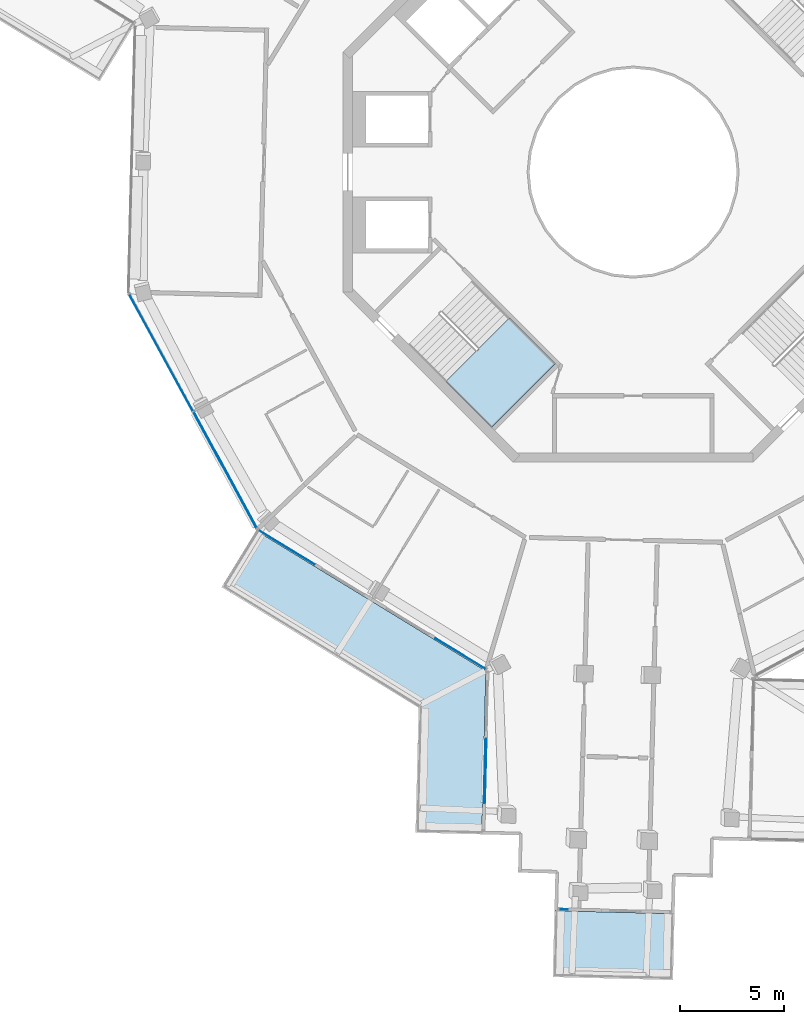
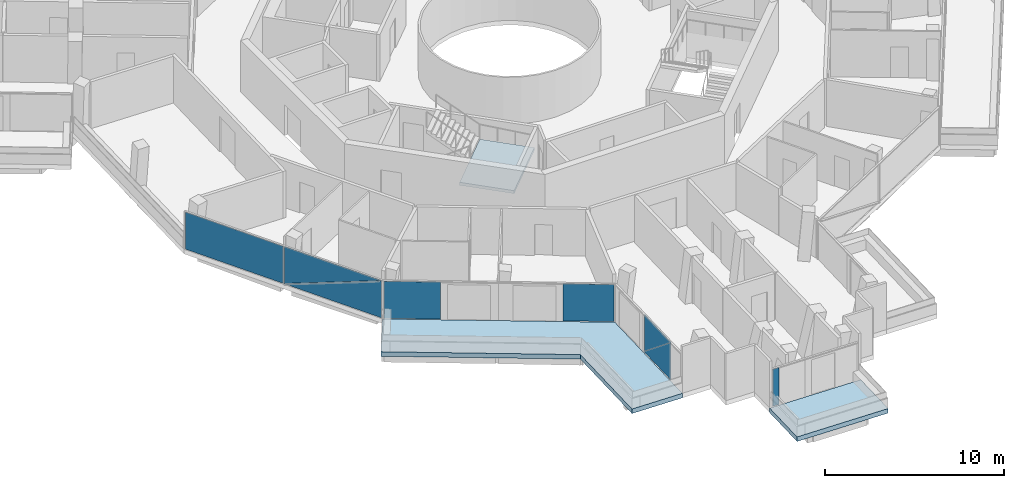
# One storey, part 11 of 24: 8 plates, 3 slabs, 5 elements without a shape of their own.
"""IFC4 building model written with IfcOpenShell, lengths in metres."""

from ifc_helpers import new_model, si_unit, direction, frame, origin, origin_2d, place, context, subcontext, project, spatial, polyline, rectangle, outline, extrude, material, layer, layer_set, type_object, element, aggregate, save


model = new_model("IFC4")

# Units and contexts
model_context = context("Model", 3, precision=1e-05, world=origin(), true_north=direction((0.0, 1.0)))
body_context = subcontext(model_context, "Body", "Model", "MODEL_VIEW")
ifc_project = project(units=[si_unit("LENGTHUNIT", "METRE"), si_unit("AREAUNIT", "SQUARE_METRE"), si_unit("VOLUMEUNIT", "CUBIC_METRE"), si_unit("PLANEANGLEUNIT", "RADIAN"), si_unit("MASSUNIT", "GRAM", prefix="KILO")], contexts=[model_context])

# Site, building, storey
site_placement = place(None, origin())
site = spatial("IfcSite", under=ifc_project, at=site_placement, CompositionType="ELEMENT")
building_placement = place(site_placement, origin())
building = spatial("IfcBuilding", under=site, at=building_placement, Name="Verdalira Terraces Hotel", CompositionType="ELEMENT")
storey_placement = place(building_placement, frame((0.0, 0.0, 274.0)))
storey = spatial("IfcBuildingStorey", under=building, at=storey_placement, Name="L67", CompositionType="ELEMENT", Elevation=274.0)

# Slabs
ifc_material_1 = material(Name="Precast concrete C40/50", Category="concrete")
ifc_layer_1 = layer(ifc_material_1, 0.31005859375)
ifc_layer_set_1 = layer_set([ifc_layer_1], Name="Balcony deck 310")
slab_type_1 = type_object("IfcSlabType", Name="Balcony deck 310", PredefinedType="FLOOR", material=ifc_layer_set_1)
slab_1_placement = place(storey_placement, frame((0.0, 0.0, -0.310059)))
element("IfcSlab", 1, at=slab_1_placement, inside=storey, type_object=slab_type_1, Name="Balcony deck", PredefinedType="FLOOR", context=body_context, shape_type="SweptSolid", body=[
    extrude(outline(polyline([(-10.353027, -25.85376), (-10.504639, -31.886963), (-7.305664, -31.967529), (-7.107666, -24.087402), (-18.198975, -17.306396), (-19.868164, -20.036621), (-10.353027, -25.85376)])), origin(), (0.0, 0.0, 1.0), 0.310059),
])
slab_2_placement = place(storey_placement, frame((0.0, 0.0, -0.310059)))
element("IfcSlab", 2, at=slab_2_placement, inside=storey, type_object=slab_type_1, Name="Balcony deck", PredefinedType="FLOOR", context=body_context, shape_type="SweptSolid", body=[
    extrude(outline(polyline([(1.92041, -39.001465), (2.000977, -35.80249), (-3.797363, -35.656738), (-3.877686, -38.855713), (1.92041, -39.001465)])), origin(), (0.0, 0.0, 1.0), 0.310059),
])

# Curtain wall, plates
ifc_material_2 = material(Name="Clear glass", Category="glass")
ifc_layer_2 = layer(ifc_material_2, 0.14990234375)
ifc_layer_set_2 = layer_set([ifc_layer_2], Name="CW1 curtain wall")
curtain_wall_type_1 = type_object("IfcCurtainWallType", Name="CW1 curtain wall", PredefinedType="NOTDEFINED", material=ifc_layer_set_2)
curtain_wall_1_placement = place(storey_placement, origin())
curtain_wall_1 = element("IfcCurtainWall", 3, at=curtain_wall_1_placement, inside=storey, type_object=curtain_wall_type_1, Name="CW1 curtain wall L67 edge 12", PredefinedType="NOTDEFINED")
ifc_material_3 = material(Name="Clear glass", Category="glass")
ifc_layer_3 = layer(ifc_material_3, 0.028076171875)
ifc_layer_set_3 = layer_set([ifc_layer_3], Name="CW1 glass unit 28")
plate_type_1 = type_object("IfcPlateType", Name="CW1 glass unit 28", PredefinedType="CURTAIN_PANEL", material=ifc_layer_set_3)
plate_1_placement = place(storey_placement, frame((-22.787109, -8.720215, 0.0), z_axis=(0.0, 0.0, 1.0), x_axis=(0.478078794, -0.878316951, 0.0)))
plate_1 = element("IfcPlate", 4, at=plate_1_placement, type_object=plate_type_1, Name="CW1 glass unit", PredefinedType="CURTAIN_PANEL", context=body_context, shape_type="SweptSolid", body=[
    extrude(rectangle(XDim=6.409912, YDim=0.028076, at=origin_2d()), origin(), (0.0, 0.0, 1.0), 2.524902),
])
plate_2_placement = place(storey_placement, frame((-19.691162, -14.378662, 1.262451), z_axis=(-0.878316951, -0.478078794, 0.0), x_axis=(0.478078794, -0.878316951, 0.0)))
plate_2 = element("IfcPlate", 5, at=plate_2_placement, type_object=plate_type_1, Name="CW1 glass unit", PredefinedType="CURTAIN_PANEL", context=body_context, shape_type="SweptSolid", body=[
    extrude(outline(polyline([(-3.185059, -1.262451), (3.185059, -1.262451), (3.185059, 1.262451), (-3.185059, -1.262451)])), origin(), (0.0, 0.0, 1.0), 0.028076),
])
plate_3_placement = place(storey_placement, frame((-19.665771, -14.364746, 1.262451), z_axis=(-0.878316951, -0.478078794, 0.0), x_axis=(0.478078794, -0.878316951, 0.0)))
plate_3 = element("IfcPlate", 6, at=plate_3_placement, type_object=plate_type_1, Name="CW1 glass unit", PredefinedType="CURTAIN_PANEL", context=body_context, shape_type="SweptSolid", body=[
    extrude(outline(polyline([(-3.185059, -1.262451), (3.185059, 1.262451), (-3.185059, 1.262451), (-3.185059, -1.262451)])), origin(), (0.0, 0.0, 1.0), 0.028076),
])
aggregate(curtain_wall_1, [plate_1, plate_2, plate_3])

curtain_wall_2_placement = place(storey_placement, origin())
curtain_wall_2 = element("IfcCurtainWall", 7, at=curtain_wall_2_placement, inside=storey, type_object=curtain_wall_type_1, Name="CW1 curtain wall L67 edge 13", PredefinedType="NOTDEFINED")
plate_4_placement = place(storey_placement, frame((-16.730713, -18.116211, 0.0), z_axis=(0.0, 0.0, 1.0), x_axis=(0.853186856, -0.521605396, 0.0)))
plate_4 = element("IfcPlate", 8, at=plate_4_placement, type_object=plate_type_1, Name="CW1 glass unit", PredefinedType="CURTAIN_PANEL", context=body_context, shape_type="SweptSolid", body=[
    extrude(rectangle(XDim=3.149902, YDim=0.028076, at=origin_2d()), origin(), (0.0, 0.0, 1.0), 2.524902),
])
plate_5_placement = place(storey_placement, frame((-8.326416, -23.254395, 0.0), z_axis=(0.0, 0.0, 1.0), x_axis=(0.853186856, -0.521605396, 0.0)))
plate_5 = element("IfcPlate", 9, at=plate_5_placement, type_object=plate_type_1, Name="CW1 glass unit", PredefinedType="CURTAIN_PANEL", context=body_context, shape_type="SweptSolid", body=[
    extrude(rectangle(XDim=2.828613, YDim=0.028076, at=origin_2d()), origin(), (0.0, 0.0, 1.0), 2.524902),
])
aggregate(curtain_wall_2, [plate_4, plate_5])

ifc_material_4 = material(Name="Clear glass", Category="glass")
ifc_layer_4 = layer(ifc_material_4, 0.14990234375)
ifc_layer_set_4 = layer_set([ifc_layer_4], Name="CW2 curtain wall")
curtain_wall_type_2 = type_object("IfcCurtainWallType", Name="CW2 curtain wall", PredefinedType="NOTDEFINED", material=ifc_layer_set_4)
curtain_wall_3_placement = place(storey_placement, origin())
curtain_wall_3 = element("IfcCurtainWall", 10, at=curtain_wall_3_placement, inside=storey, type_object=curtain_wall_type_2, Name="CW2 curtain wall L67 edge 14", PredefinedType="NOTDEFINED")
ifc_material_5 = material(Name="Clear glass", Category="glass")
ifc_layer_5 = layer(ifc_material_5, 0.031982421875)
ifc_layer_set_5 = layer_set([ifc_layer_5], Name="CW2 glass unit 32")
plate_type_2 = type_object("IfcPlateType", Name="CW2 glass unit 32", PredefinedType="CURTAIN_PANEL", material=ifc_layer_set_5)
plate_6_placement = place(storey_placement, frame((-7.138184, -28.919434, 1.262451), z_axis=(-0.999684189, 0.025130095, 0.0), x_axis=(-0.025130095, -0.999684189, 0.0)))
plate_6 = element("IfcPlate", 11, at=plate_6_placement, type_object=plate_type_2, Name="CW2 glass unit", PredefinedType="CURTAIN_PANEL", context=body_context, shape_type="SweptSolid", body=[
    extrude(outline(polyline([(-1.561279, -1.262451), (1.561279, -1.262451), (1.561279, 1.262451), (-1.561279, -1.262451)])), origin(), (0.0, 0.0, 1.0), 0.031982),
])
plate_7_placement = place(storey_placement, frame((-7.105225, -28.920166, 1.262451), z_axis=(-0.999684189, 0.025130095, 0.0), x_axis=(-0.025130095, -0.999684189, 0.0)))
plate_7 = element("IfcPlate", 12, at=plate_7_placement, type_object=plate_type_2, Name="CW2 glass unit", PredefinedType="CURTAIN_PANEL", context=body_context, shape_type="SweptSolid", body=[
    extrude(outline(polyline([(-1.561279, -1.262451), (1.561279, 1.262451), (-1.561279, 1.262451), (-1.561279, -1.262451)])), origin(), (0.0, 0.0, 1.0), 0.031982),
])
aggregate(curtain_wall_3, [plate_6, plate_7])

# Curtain wall, plate
ifc_material_6 = material(Name="Clear glass", Category="glass")
ifc_layer_6 = layer(ifc_material_6, 0.14990234375)
ifc_layer_set_6 = layer_set([ifc_layer_6], Name="CW3 curtain wall")
curtain_wall_type_3 = type_object("IfcCurtainWallType", Name="CW3 curtain wall", PredefinedType="NOTDEFINED", material=ifc_layer_set_6)
curtain_wall_4_placement = place(storey_placement, origin())
curtain_wall_4 = element("IfcCurtainWall", 13, at=curtain_wall_4_placement, inside=storey, type_object=curtain_wall_type_3, Name="CW3 curtain wall L67 edge 19", PredefinedType="NOTDEFINED")
ifc_material_7 = material(Name="Clear glass", Category="glass")
ifc_layer_7 = layer(ifc_material_7, 0.035888671875)
ifc_layer_set_7 = layer_set([ifc_layer_7], Name="CW3 glass unit 36")
plate_type_3 = type_object("IfcPlateType", Name="CW3 glass unit 36", PredefinedType="CURTAIN_PANEL", material=ifc_layer_set_7)
plate_8_placement = place(storey_placement, frame((-3.365479, -35.592529, 0.0), z_axis=(0.0, 0.0, 1.0), x_axis=(0.999684189, -0.025130095, 0.0)))
plate_8 = element("IfcPlate", 14, at=plate_8_placement, type_object=plate_type_3, Name="CW3 glass unit", PredefinedType="CURTAIN_PANEL", context=body_context, shape_type="SweptSolid", body=[
    extrude(rectangle(XDim=0.399902, YDim=0.035889, at=origin_2d()), origin(), (0.0, 0.0, 1.0), 2.524902),
])
aggregate(curtain_wall_4, [plate_8])

# Stair, slab
ifc_material_8 = material(Name="Concrete C40", Category="concrete")
stair_type = type_object("IfcStairType", Name="Core stair 20 risers 2125 mm wide", PredefinedType="HALF_TURN_STAIR", material=ifc_material_8)
stair_placement = place(storey_placement, origin())
stair = element("IfcStair", 15, at=stair_placement, inside=storey, type_object=stair_type, Name="L67 Exit stair ST2", PredefinedType="HALF_TURN_STAIR")
ifc_material_9 = material(Name="Concrete C40", Category="concrete")
ifc_layer_8 = layer(ifc_material_9, 0.199951171875)
ifc_layer_set_8 = layer_set([ifc_layer_8], Name="Core stair landing 200 mm")
slab_type_2 = type_object("IfcSlabType", Name="Core stair landing 200 mm", PredefinedType="LANDING", material=ifc_layer_set_8)
slab_3_placement = place(storey_placement, frame((0.0, 0.0, 1.550049)))
slab_3 = element("IfcSlab", 16, at=slab_3_placement, type_object=slab_type_2, Name="ST2 landing 1", PredefinedType="LANDING", context=body_context, shape_type="SweptSolid", body=[
    extrude(outline(polyline([(-9.054932, -10.107666), (-6.823486, -12.339111), (-3.747559, -9.263184), (-5.979004, -7.031738), (-9.054932, -10.107666)])), origin(), (0.0, 0.0, 1.0), 0.199951),
])
aggregate(stair, [slab_3])

save(model, "model.ifc")
